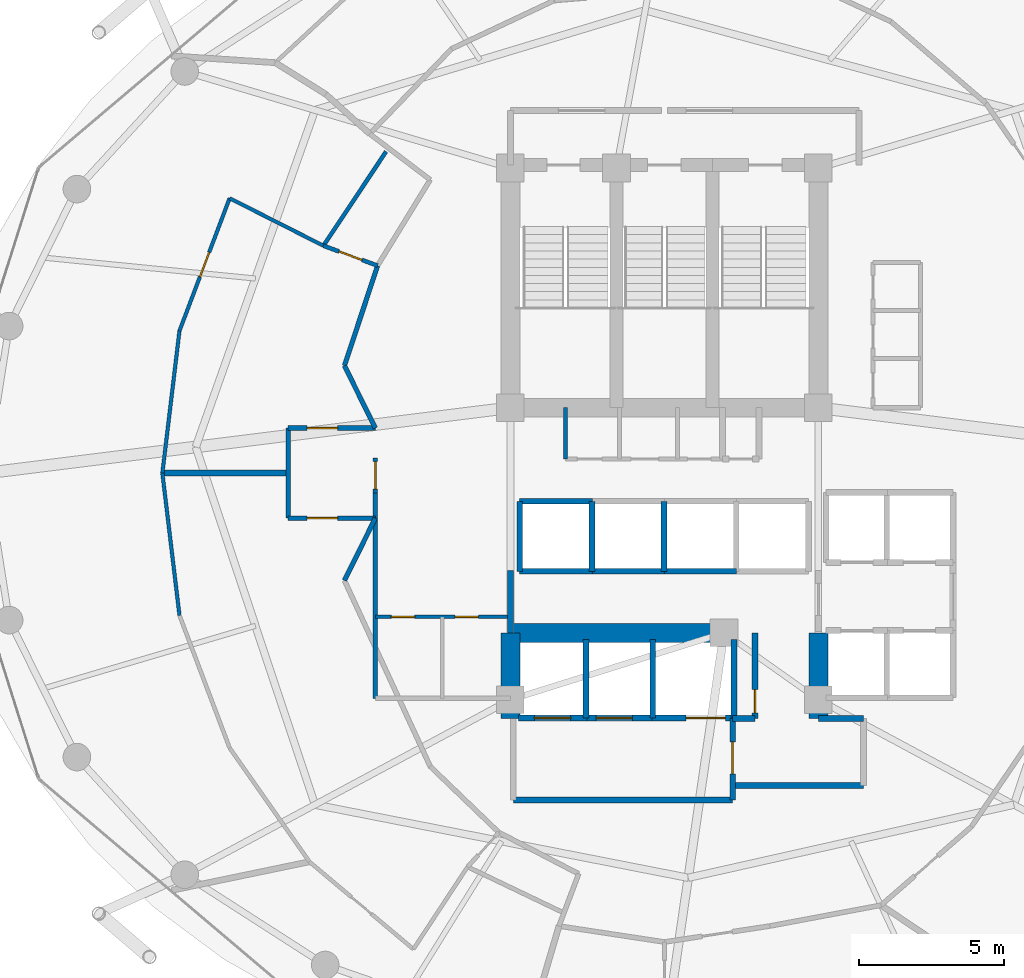
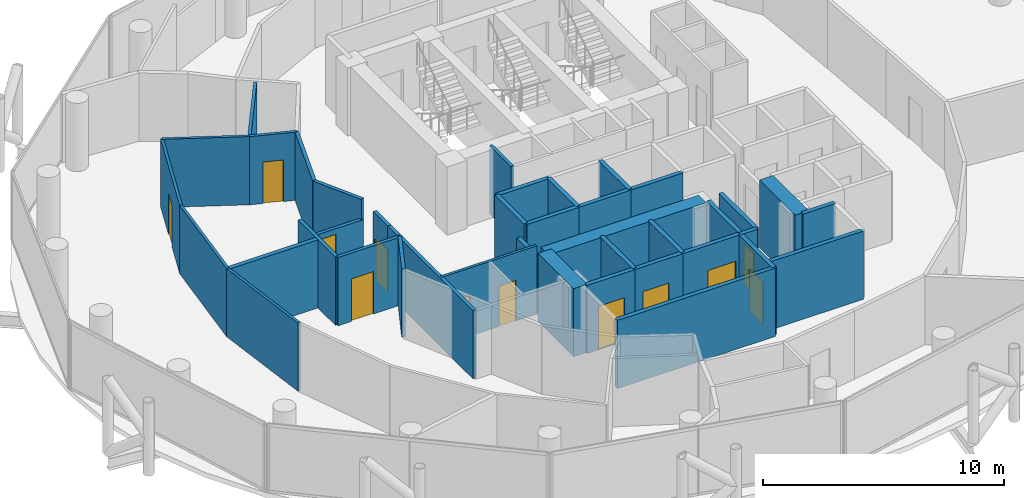
# One storey, part 22 of 26: 40 walls, 12 doors, 12 openings.
"""IFC4 building model written with IfcOpenShell, lengths in metres."""

from ifc_helpers import new_model, si_unit, direction, frame, frame_2d, origin, place, context, subcontext, project, spatial, rectangle, extrude, material, layer, layer_set, type_object, element, fill, save


model = new_model("IFC4")

# Units and contexts
model_context = context("Model", 3, precision=1e-05, world=origin(), true_north=direction((0.0, 1.0)))
body_context = subcontext(model_context, "Body", "Model", "MODEL_VIEW")
ifc_project = project(units=[si_unit("LENGTHUNIT", "METRE"), si_unit("AREAUNIT", "SQUARE_METRE"), si_unit("VOLUMEUNIT", "CUBIC_METRE"), si_unit("PLANEANGLEUNIT", "RADIAN"), si_unit("MASSUNIT", "GRAM", prefix="KILO")], contexts=[model_context])

# Site, building, storey
site_placement = place(None, origin())
site = spatial("IfcSite", under=ifc_project, at=site_placement, CompositionType="ELEMENT")
building_placement = place(site_placement, origin())
building = spatial("IfcBuilding", under=site, at=building_placement, Name="Nuhasar Tower", CompositionType="ELEMENT")
storey_placement = place(building_placement, frame((0.0, 0.0, 162.64990234375)))
storey = spatial("IfcBuildingStorey", under=building, at=storey_placement, Name="L39", CompositionType="ELEMENT", Elevation=162.64990234375)

# Walls
ifc_material_1 = material(Name="Concrete C65/80", Category="concrete")
ifc_layer_1 = layer(ifc_material_1, 0.64990234375)
ifc_layer_set_1 = layer_set([ifc_layer_1], Name="Concrete C65/80")
wall_type_1 = type_object("IfcWallType", Name="WL-CORE-650", PredefinedType="SHEAR", material=ifc_layer_set_1)
for number, where, z_axis, x_axis, name in (
    (1, (33.699951171875, 18.35009765625, 0.0), (0.0, 0.0, 1.0), (0.0, 1.0, 0.0), "L39 Core Shear Wall CW-SW CW-650"),
    (2, (44.300048828125, 18.35009765625, 0.0), (0.0, 0.0, 1.0), (0.0, 1.0, 0.0), "L39 Core Shear Wall CW-SE CW-650"),
):
    element("IfcWall", number, at=place(storey_placement, frame(where, z_axis=z_axis, x_axis=x_axis)), inside=storey, type_object=wall_type_1, Name=name, PredefinedType="SHEAR", context=body_context, shape_type="SweptSolid", body=[
        extrude(rectangle(XDim=2.949951171875, YDim=0.64990234375, at=frame_2d((1.47509765625, 0.0))), origin(), (0.0, 0.0, 1.0), 3.4501953125),
    ])
wall_1_placement = place(storey_placement, frame((33.699951171875, 21.300048828125, 0.0), z_axis=(0.0, 0.0, 1.0), x_axis=(1.0, 0.0, 0.0)))
element("IfcWall", 3, at=wall_1_placement, inside=storey, type_object=wall_type_1, Name="L39 Core Shear Wall CW-S1 CW-650", PredefinedType="SHEAR", context=body_context, shape_type="SweptSolid", body=[
    extrude(rectangle(XDim=7.550048828125, YDim=0.64990234375, at=frame_2d((3.77490234375, 0.0))), origin(), (0.0, 0.0, 1.0), 3.4501953125),
])
ifc_material_2 = material(Name="Gypsum Board", Category="gypsum")
ifc_layer_2 = layer(ifc_material_2, 0.159912109375)
ifc_layer_set_2 = layer_set([ifc_layer_2], Name="Gypsum Board")
wall_type_2 = type_object("IfcWallType", Name="WL-CORR-160", PredefinedType="PARTITIONING", material=ifc_layer_set_2)
wall_2_placement = place(storey_placement, frame((29.050048828125, 19.050048828125, 0.0), z_axis=(0.0, 0.0, 1.0), x_axis=(0.0, 1.0, 0.0)))
element("IfcWall", 4, at=wall_2_placement, inside=storey, type_object=wall_type_2, Name="L39 Interior Partition RECL-B1-W", PredefinedType="PARTITIONING", context=body_context, shape_type="SweptSolid", body=[
    extrude(rectangle(XDim=7.070068359375, YDim=0.159912109375, at=frame_2d((3.53515625, 0.0))), origin(), (0.0, 0.0, 1.0), 3.4501953125),
])

# Wall, opening, door
wall_3_placement = place(storey_placement, frame((29.050048828125, 26.1201171875, 0.0), z_axis=(0.0, 0.0, 1.0), x_axis=(0.0, 1.0, 0.0)))
wall_3 = element("IfcWall", 5, at=wall_3_placement, inside=storey, type_object=wall_type_2, Name="L39 Interior Partition WVEST-E", PredefinedType="PARTITIONING", context=body_context, shape_type="SweptSolid", body=[
    extrude(rectangle(XDim=1.199951171875, YDim=0.159912109375, at=frame_2d((0.60009765625, 0.0))), origin(), (0.0, 0.0, 1.0), 3.4501953125),
])
opening_1_placement = place(wall_3_placement, frame((0.125, 0.0, 0.0)))
opening_1 = element("IfcOpeningElement", 6, at=opening_1_placement, cuts=wall_3, Name="Opening DO-01", PredefinedType="OPENING", context=body_context, shape_type="SweptSolid", body=[
    extrude(rectangle(XDim=0.949951171875, YDim=2.14990234375, at=frame_2d((0.47509765625, 1.074951171875))), frame((0.0, 0.08984375, 0.0), z_axis=(0.0, -1.0, 0.0), x_axis=(1.0, 0.0, 0.0)), (0.0, 0.0, 1.0), 0.179931640625),
])
ifc_material_3 = material(Name="Timber Oak", Category="wood")
door_type_1 = type_object("IfcDoorType", Name="DR-OFFICE-FD30-950", OperationType="NOTDEFINED", PredefinedType="DOOR", material=ifc_material_3)
door_1_placement = place(opening_1_placement, origin())
door_1 = element("IfcDoor", 7, at=door_1_placement, inside=storey, type_object=door_type_1, Name="L39 West Arrival Foyer Core Door", OperationType="SINGLE_SWING_RIGHT", OverallHeight=2.14990234375, OverallWidth=0.949951171875, PredefinedType="DOOR", context=body_context, shape_type="SweptSolid", body=[
    extrude(rectangle(XDim=0.949951171875, YDim=2.14990234375, at=frame_2d((0.47509765625, 1.074951171875))), frame((0.0, 0.02490234375, 0.0), z_axis=(0.0, -1.0, 0.0), x_axis=(1.0, 0.0, 0.0)), (0.0, 0.0, 1.0), 0.050048828125),
])
fill(opening_1, door_1)

# Wall
wall_4_placement = place(storey_placement, frame((29.126953125, 33.93994140625, 0.0), z_axis=(0.0, 0.0, 1.0), x_axis=(-0.313985571683, -0.949427754374, 0.0)))
element("IfcWall", 8, at=wall_4_placement, inside=storey, type_object=wall_type_2, Name="L39 Interior Partition HWEST-CORE-N-20", PredefinedType="PARTITIONING", context=body_context, shape_type="SweptSolid", body=[
    extrude(rectangle(XDim=3.627197265625, YDim=0.159912109375, at=frame_2d((1.8134765625, 0.0))), origin(), (0.0, 0.0, 1.0), 3.4501953125),
])

# Wall, opening, door
wall_5_placement = place(storey_placement, frame((26.050048828125, 28.35009765625, 0.0), z_axis=(0.0, 0.0, 1.0), x_axis=(1.0, 0.0, 0.0)))
wall_5 = element("IfcWall", 9, at=wall_5_placement, inside=storey, type_object=wall_type_2, Name="L39 Interior Partition WVEST-N", PredefinedType="PARTITIONING", context=body_context, shape_type="SweptSolid", body=[
    extrude(rectangle(XDim=3.0, YDim=0.159912109375, at=frame_2d((1.5, 0.0))), origin(), (0.0, 0.0, 1.0), 2.440185546875),
])
opening_2_placement = place(wall_5_placement, frame((0.64990234375, 0.0, 0.0)))
opening_2 = element("IfcOpeningElement", 10, at=opening_2_placement, cuts=wall_5, Name="Opening DU-01", PredefinedType="OPENING", context=body_context, shape_type="SweptSolid", body=[
    extrude(rectangle(XDim=1.050048828125, YDim=2.14990234375, at=frame_2d((0.52490234375, 1.074951171875))), frame((0.0, 0.08984375, 0.0), z_axis=(0.0, -1.0, 0.0), x_axis=(1.0, 0.0, 0.0)), (0.0, 0.0, 1.0), 0.179931640625),
])
door_type_2 = type_object("IfcDoorType", Name="DR-SUITE-FD60-1050", OperationType="NOTDEFINED", PredefinedType="DOOR", material=ifc_material_3)
door_2_placement = place(opening_2_placement, origin())
door_2 = element("IfcDoor", 11, at=door_2_placement, inside=storey, type_object=door_type_2, Name="L39 North-West Sunset Suite Entrance", OperationType="SINGLE_SWING_LEFT", OverallHeight=2.14990234375, OverallWidth=1.050048828125, PredefinedType="DOOR", context=body_context, shape_type="SweptSolid", body=[
    extrude(rectangle(XDim=1.050048828125, YDim=2.14990234375, at=frame_2d((0.52490234375, 1.074951171875))), frame((0.0, 0.02490234375, 0.0), z_axis=(0.0, -1.0, 0.0), x_axis=(1.0, 0.0, 0.0)), (0.0, 0.0, 1.0), 0.050048828125),
])
fill(opening_2, door_2)

wall_6_placement = place(storey_placement, frame((26.050048828125, 25.25, 0.0), z_axis=(0.0, 0.0, 1.0), x_axis=(1.0, 0.0, 0.0)))
wall_6 = element("IfcWall", 12, at=wall_6_placement, inside=storey, type_object=wall_type_2, Name="L39 Interior Partition WVEST-S", PredefinedType="PARTITIONING", context=body_context, shape_type="SweptSolid", body=[
    extrude(rectangle(XDim=3.0, YDim=0.159912109375, at=frame_2d((1.5, 0.0))), origin(), (0.0, 0.0, 1.0), 3.4501953125),
])
opening_3_placement = place(wall_6_placement, frame((0.64990234375, 0.0, 0.0)))
opening_3 = element("IfcOpeningElement", 13, at=opening_3_placement, cuts=wall_6, Name="Opening DU-01", PredefinedType="OPENING", context=body_context, shape_type="SweptSolid", body=[
    extrude(rectangle(XDim=1.050048828125, YDim=2.14990234375, at=frame_2d((0.52490234375, 1.074951171875))), frame((0.0, 0.08984375, 0.0), z_axis=(0.0, -1.0, 0.0), x_axis=(1.0, 0.0, 0.0)), (0.0, 0.0, 1.0), 0.179931640625),
])
door_3_placement = place(opening_3_placement, origin())
door_3 = element("IfcDoor", 14, at=door_3_placement, inside=storey, type_object=door_type_2, Name="L39 South-West Presidential Suite Entrance", OperationType="SINGLE_SWING_LEFT", OverallHeight=2.14990234375, OverallWidth=1.050048828125, PredefinedType="DOOR", context=body_context, shape_type="SweptSolid", body=[
    extrude(rectangle(XDim=1.050048828125, YDim=2.14990234375, at=frame_2d((0.52490234375, 1.074951171875))), frame((0.0, 0.02490234375, 0.0), z_axis=(0.0, -1.0, 0.0), x_axis=(1.0, 0.0, 0.0)), (0.0, 0.0, 1.0), 0.050048828125),
])
fill(opening_3, door_3)

# Walls
wall_7_placement = place(storey_placement, frame((26.050048828125, 25.25, 0.0), z_axis=(0.0, 0.0, 1.0), x_axis=(0.0, 1.0, 0.0)))
element("IfcWall", 15, at=wall_7_placement, inside=storey, type_object=wall_type_2, Name="L39 Interior Partition WVEST-W", PredefinedType="PARTITIONING", context=body_context, shape_type="SweptSolid", body=[
    extrude(rectangle(XDim=3.10009765625, YDim=0.159912109375, at=frame_2d((1.550048828125, 0.0))), origin(), (0.0, 0.0, 1.0), 3.4501953125),
])
for number, where, z_axis, x_axis, name in (
    (16, (27.988037109375, 30.49609375, 0.0), (0.0, 0.0, 1.0), (0.443539160525, -0.896254993337, 0.0), "L39 Interior Partition WVEST-CN"),
    (17, (27.988037109375, 23.10400390625, 0.0), (0.0, 0.0, 1.0), (0.443539160525, 0.896254993337, 0.0), "L39 Interior Partition WVEST-CS"),
):
    element("IfcWall", number, at=place(storey_placement, frame(where, z_axis=z_axis, x_axis=x_axis)), inside=storey, type_object=wall_type_2, Name=name, PredefinedType="PARTITIONING", context=body_context, shape_type="SweptSolid", body=[
        extrude(rectangle(XDim=2.394287109375, YDim=0.159912109375, at=frame_2d((1.197265625, 0.0))), origin(), (0.0, 0.0, 1.0), 3.4501953125),
    ])
ifc_material_4 = material(Name="Concrete C45/55", Category="concrete")
ifc_layer_3 = layer(ifc_material_4, 0.199951171875)
ifc_layer_set_3 = layer_set([ifc_layer_3], Name="Concrete C45/55")
wall_type_3 = type_object("IfcWallType", Name="WL-LOBBY-200", PredefinedType="SOLIDWALL", material=ifc_layer_set_3)
wall_8_placement = place(storey_placement, frame((33.699951171875, 21.300048828125, 0.0), z_axis=(0.0, 0.0, 1.0), x_axis=(0.0, 1.0, 0.0)))
element("IfcWall", 18, at=wall_8_placement, inside=storey, type_object=wall_type_3, Name="L39 Interior Partition LLBH-W", PredefinedType="SOLIDWALL", context=body_context, shape_type="SweptSolid", body=[
    extrude(rectangle(XDim=2.14990234375, YDim=0.199951171875, at=frame_2d((1.074951171875, 0.0))), origin(), (0.0, 0.0, 1.0), 2.835205078125),
])
wall_9_placement = place(storey_placement, frame((33.800048828125, 15.550048828125, 0.0), z_axis=(0.0, 0.0, 1.0), x_axis=(1.0, 0.0, 0.0)))
element("IfcWall", 19, at=wall_9_placement, inside=storey, type_object=wall_type_3, Name="L39 Interior Partition FFL-S", PredefinedType="SOLIDWALL", context=body_context, shape_type="SweptSolid", body=[
    extrude(rectangle(XDim=7.550048828125, YDim=0.199951171875, at=frame_2d((3.77490234375, 0.0))), origin(), (0.0, 0.0, 1.0), 3.4501953125),
])

# Wall, opening, door
wall_10_placement = place(storey_placement, frame((41.35009765625, 15.550048828125, 0.0), z_axis=(0.0, 0.0, 1.0), x_axis=(0.0, 1.0, 0.0)))
wall_10 = element("IfcWall", 20, at=wall_10_placement, inside=storey, type_object=wall_type_3, Name="L39 Interior Partition FFL-E", PredefinedType="SOLIDWALL", context=body_context, shape_type="SweptSolid", body=[
    extrude(rectangle(XDim=2.800048828125, YDim=0.199951171875, at=frame_2d((1.39990234375, 0.0))), origin(), (0.0, 0.0, 1.0), 3.4501953125),
])
opening_4_placement = place(wall_10_placement, frame((0.89990234375, 0.0, 0.0)))
opening_4 = element("IfcOpeningElement", 21, at=opening_4_placement, cuts=wall_10, Name="Opening DS-02", PredefinedType="OPENING", context=body_context, shape_type="SweptSolid", body=[
    extrude(rectangle(XDim=1.10009765625, YDim=2.14990234375, at=frame_2d((0.550048828125, 1.074951171875))), frame((0.0, 0.10986328125, 0.0), z_axis=(0.0, -1.0, 0.0), x_axis=(1.0, 0.0, 0.0)), (0.0, 0.0, 1.0), 0.219970703125),
])
ifc_material_5 = material(Name="Steel S355", Category="steel")
door_type_3 = type_object("IfcDoorType", Name="DR-FFL-FD120-1100", OperationType="NOTDEFINED", PredefinedType="DOOR", material=ifc_material_5)
door_4_placement = place(opening_4_placement, origin())
door_4 = element("IfcDoor", 22, at=door_4_placement, inside=storey, type_object=door_type_3, Name="L39 Firefighting Lobby Door", OperationType="SINGLE_SWING_RIGHT", OverallHeight=2.14990234375, OverallWidth=1.10009765625, PredefinedType="DOOR", context=body_context, shape_type="SweptSolid", body=[
    extrude(rectangle(XDim=1.10009765625, YDim=2.14990234375, at=frame_2d((0.550048828125, 1.074951171875))), frame((0.0, 0.02490234375, 0.0), z_axis=(0.0, -1.0, 0.0), x_axis=(1.0, 0.0, 0.0)), (0.0, 0.0, 1.0), 0.050048828125),
])
fill(opening_4, door_4)

# Walls
wall_11_placement = place(storey_placement, frame((41.35009765625, 16.050048828125, 0.0), z_axis=(0.0, 0.0, 1.0), x_axis=(1.0, 0.0, 0.0)))
element("IfcWall", 23, at=wall_11_placement, inside=storey, type_object=wall_type_3, Name="L39 Interior Partition SVLV-S", PredefinedType="SOLIDWALL", context=body_context, shape_type="SweptSolid", body=[
    extrude(rectangle(XDim=4.5, YDim=0.199951171875, at=frame_2d((2.25, 0.0))), origin(), (0.0, 0.0, 1.0), 3.4501953125),
])
wall_12_placement = place(storey_placement, frame((44.300048828125, 18.35009765625, 0.0), z_axis=(0.0, 0.0, 1.0), x_axis=(1.0, 0.0, 0.0)))
element("IfcWall", 24, at=wall_12_placement, inside=storey, type_object=wall_type_3, Name="L39 Interior Partition SVLV-N", PredefinedType="SOLIDWALL", context=body_context, shape_type="SweptSolid", body=[
    extrude(rectangle(XDim=1.550048828125, YDim=0.199951171875, at=frame_2d((0.77490234375, 0.0))), origin(), (0.0, 0.0, 1.0), 3.4501953125),
])

# Wall, openings, doors
ifc_layer_4 = layer(ifc_material_2, 0.125)
ifc_layer_set_4 = layer_set([ifc_layer_4], Name="Gypsum Board")
wall_type_4 = type_object("IfcWallType", Name="WL-PART-125", PredefinedType="PARTITIONING", material=ifc_layer_set_4)
wall_13_placement = place(storey_placement, frame((33.60009765625, 21.85009765625, 0.0), z_axis=(0.0, 0.0, 1.0), x_axis=(-1.0, 0.0, 0.0)))
wall_13 = element("IfcWall", 25, at=wall_13_placement, inside=storey, type_object=wall_type_4, Name="L39 Interior Partition HKPK1-N", PredefinedType="PARTITIONING", context=body_context, shape_type="SweptSolid", body=[
    extrude(rectangle(XDim=4.550048828125, YDim=0.125, at=frame_2d((2.27490234375, 0.0))), origin(), (0.0, 0.0, 1.0), 3.4501953125),
])
opening_5_placement = place(wall_13_placement, frame((3.199951171875, 0.0, 0.0)))
opening_5 = element("IfcOpeningElement", 26, at=opening_5_placement, cuts=wall_13, Name="Opening DM-01", PredefinedType="OPENING", context=body_context, shape_type="SweptSolid", body=[
    extrude(rectangle(XDim=0.800048828125, YDim=2.050048828125, at=frame_2d((0.39990234375, 1.02490234375))), frame((0.0, 0.072509765625, 0.0), z_axis=(0.0, -1.0, 0.0), x_axis=(1.0, 0.0, 0.0)), (0.0, 0.0, 1.0), 0.14501953125),
])
opening_6_placement = place(wall_13_placement, frame((1.0, 0.0, 0.0)))
opening_6 = element("IfcOpeningElement", 27, at=opening_6_placement, cuts=wall_13, Name="Opening DM-01", PredefinedType="OPENING", context=body_context, shape_type="SweptSolid", body=[
    extrude(rectangle(XDim=0.800048828125, YDim=2.050048828125, at=frame_2d((0.39990234375, 1.02490234375))), frame((0.0, 0.072509765625, 0.0), z_axis=(0.0, -1.0, 0.0), x_axis=(1.0, 0.0, 0.0)), (0.0, 0.0, 1.0), 0.14501953125),
])
door_type_4 = type_object("IfcDoorType", Name="DR-RISER-FD60-800", OperationType="NOTDEFINED", PredefinedType="DOOR", material=ifc_material_5)
door_5_placement = place(opening_5_placement, origin())
door_5 = element("IfcDoor", 28, at=door_5_placement, inside=storey, type_object=door_type_4, Name="L39 Housekeeping Closet Door", OperationType="SINGLE_SWING_RIGHT", OverallHeight=2.050048828125, OverallWidth=0.800048828125, PredefinedType="DOOR", context=body_context, shape_type="SweptSolid", body=[
    extrude(rectangle(XDim=0.800048828125, YDim=2.050048828125, at=frame_2d((0.39990234375, 1.02490234375))), frame((0.0, 0.02490234375, 0.0), z_axis=(0.0, -1.0, 0.0), x_axis=(1.0, 0.0, 0.0)), (0.0, 0.0, 1.0), 0.050048828125),
])
fill(opening_5, door_5)
door_6_placement = place(opening_6_placement, origin())
door_6 = element("IfcDoor", 29, at=door_6_placement, inside=storey, type_object=door_type_4, Name="L39 Linen Store Door", OperationType="SINGLE_SWING_LEFT", OverallHeight=2.050048828125, OverallWidth=0.800048828125, PredefinedType="DOOR", context=body_context, shape_type="SweptSolid", body=[
    extrude(rectangle(XDim=0.800048828125, YDim=2.050048828125, at=frame_2d((0.39990234375, 1.02490234375))), frame((0.0, 0.02490234375, 0.0), z_axis=(0.0, -1.0, 0.0), x_axis=(1.0, 0.0, 0.0)), (0.0, 0.0, 1.0), 0.050048828125),
])
fill(opening_6, door_6)

# Wall
wall_14_placement = place(storey_placement, frame((27.264892578125, 34.625, 0.0), z_axis=(0.0, 0.0, 1.0), x_axis=(-0.892204285049, 0.451632055705, 0.0)))
element("IfcWall", 30, at=wall_14_placement, inside=storey, type_object=wall_type_4, Name="L39 Interior Partition HWS1-S", PredefinedType="PARTITIONING", context=body_context, shape_type="SweptSolid", body=[
    extrude(rectangle(XDim=3.6201171875, YDim=0.125, at=frame_2d((1.81005859375, 0.0))), origin(), (0.0, 0.0, 1.0), 3.4501953125),
])

# Wall, opening, door
wall_15_placement = place(storey_placement, frame((24.034912109375, 36.260009765625, 0.0), z_axis=(0.0, 0.0, 1.0), x_axis=(-0.353765495648, -0.935334151033, 0.0)))
wall_15 = element("IfcWall", 31, at=wall_15_placement, inside=storey, type_object=wall_type_4, Name="L39 Interior Partition HWS1-ARC-20", PredefinedType="PARTITIONING", context=body_context, shape_type="SweptSolid", body=[
    extrude(rectangle(XDim=4.87841796875, YDim=0.125, at=frame_2d((2.439208984375, 0.0))), origin(), (0.0, 0.0, 1.0), 3.4501953125),
])
opening_7_placement = place(wall_15_placement, frame((1.989013671875, 0.0, 0.0)))
opening_7 = element("IfcOpeningElement", 32, at=opening_7_placement, cuts=wall_15, Name="Opening DR-01", PredefinedType="OPENING", context=body_context, shape_type="SweptSolid", body=[
    extrude(rectangle(XDim=0.89990234375, YDim=2.10009765625, at=frame_2d((0.449951171875, 1.050048828125))), frame((0.0, 0.072509765625, 0.0), z_axis=(0.0, -1.0, 0.0), x_axis=(1.0, 0.0, 0.0)), (0.0, 0.0, 1.0), 0.14501953125),
])
door_type_5 = type_object("IfcDoorType", Name="DR-ROOM-900", OperationType="NOTDEFINED", PredefinedType="DOOR", material=ifc_material_3)
door_7_placement = place(opening_7_placement, origin())
door_7 = element("IfcDoor", 33, at=door_7_placement, inside=storey, type_object=door_type_5, Name="L39 North-West Sunset Suite Bedroom Door", OperationType="SINGLE_SWING_LEFT", OverallHeight=2.10009765625, OverallWidth=0.89990234375, PredefinedType="DOOR", context=body_context, shape_type="SweptSolid", body=[
    extrude(rectangle(XDim=0.89990234375, YDim=2.10009765625, at=frame_2d((0.449951171875, 1.050048828125))), frame((0.0, 0.02490234375, 0.0), z_axis=(0.0, -1.0, 0.0), x_axis=(1.0, 0.0, 0.0)), (0.0, 0.0, 1.0), 0.050048828125),
])
fill(opening_7, door_7)

# Walls
for number, where, z_axis, x_axis, name in (
    (34, (22.30908203125, 31.697021484375, 0.0), (0.0, 0.0, 1.0), (-0.119439942395, -0.9928414275, 0.0), "L39 Interior Partition HWS1-ARC-22"),
    (35, (21.719970703125, 26.800048828125, 0.0), (0.0, 0.0, 1.0), (0.119439942395, -0.9928414275, 0.0), "L39 Interior Partition HWS2-ARC-24"),
):
    element("IfcWall", number, at=place(storey_placement, frame(where, z_axis=z_axis, x_axis=x_axis)), inside=storey, type_object=wall_type_4, Name=name, PredefinedType="PARTITIONING", context=body_context, shape_type="SweptSolid", body=[
        extrude(rectangle(XDim=4.932373046875, YDim=0.125, at=frame_2d((2.46630859375, 0.0))), origin(), (0.0, 0.0, 1.0), 3.4501953125),
    ])
ifc_layer_5 = layer(ifc_material_4, 0.199951171875)
ifc_layer_set_5 = layer_set([ifc_layer_5], Name="Concrete C45/55")
wall_type_5 = type_object("IfcWallType", Name="WL-SHAFT-200", PredefinedType="SOLIDWALL", material=ifc_layer_set_5)
for number, where, z_axis, x_axis, name in (
    (36, (34.02001953125, 23.419921875, 0.0), (0.0, 0.0, 1.0), (1.0, 0.0, 0.0), "L39 Interior Partition SHF-PL-H01-S"),
    (37, (34.02001953125, 25.830078125, 0.0), (0.0, 0.0, 1.0), (1.0, 0.0, 0.0), "L39 Interior Partition SHF-PL-H01-N"),
):
    element("IfcWall", number, at=place(storey_placement, frame(where, z_axis=z_axis, x_axis=x_axis)), inside=storey, type_object=wall_type_5, Name=name, PredefinedType="SOLIDWALL", context=body_context, shape_type="SweptSolid", body=[
        extrude(rectangle(XDim=2.5, YDim=0.199951171875, at=frame_2d((1.25, 0.0))), origin(), (0.0, 0.0, 1.0), 3.4501953125),
    ])
for number, where, z_axis, x_axis, name in (
    (38, (34.02001953125, 23.419921875, 0.0), (0.0, 0.0, 1.0), (0.0, 1.0, 0.0), "L39 Interior Partition SHF-PL-H01-W"),
    (39, (36.510009765625, 23.419921875, 0.0), (0.0, 0.0, 1.0), (0.0, 1.0, 0.0), "L39 Interior Partition SHF-PL-H01-E"),
):
    element("IfcWall", number, at=place(storey_placement, frame(where, z_axis=z_axis, x_axis=x_axis)), inside=storey, type_object=wall_type_5, Name=name, PredefinedType="SOLIDWALL", context=body_context, shape_type="SweptSolid", body=[
        extrude(rectangle(XDim=2.41015625, YDim=0.199951171875, at=frame_2d((1.205078125, 0.0))), origin(), (0.0, 0.0, 1.0), 3.4501953125),
    ])
wall_16_placement = place(storey_placement, frame((36.5, 23.419921875, 0.0), z_axis=(0.0, 0.0, 1.0), x_axis=(1.0, 0.0, 0.0)))
element("IfcWall", 40, at=wall_16_placement, inside=storey, type_object=wall_type_5, Name="L39 Interior Partition SHF-PL-H02-S", PredefinedType="SOLIDWALL", context=body_context, shape_type="SweptSolid", body=[
    extrude(rectangle(XDim=2.5, YDim=0.199951171875, at=frame_2d((1.25, 0.0))), origin(), (0.0, 0.0, 1.0), 3.4501953125),
])
wall_17_placement = place(storey_placement, frame((38.989990234375, 23.419921875, 0.0), z_axis=(0.0, 0.0, 1.0), x_axis=(0.0, 1.0, 0.0)))
element("IfcWall", 41, at=wall_17_placement, inside=storey, type_object=wall_type_5, Name="L39 Interior Partition SHF-PL-H02-E", PredefinedType="SOLIDWALL", context=body_context, shape_type="SweptSolid", body=[
    extrude(rectangle(XDim=2.41015625, YDim=0.199951171875, at=frame_2d((1.205078125, 0.0))), origin(), (0.0, 0.0, 1.0), 3.4501953125),
])
wall_18_placement = place(storey_placement, frame((38.97998046875, 23.419921875, 0.0), z_axis=(0.0, 0.0, 1.0), x_axis=(1.0, 0.0, 0.0)))
element("IfcWall", 42, at=wall_18_placement, inside=storey, type_object=wall_type_5, Name="L39 Interior Partition SHF-PL-H03-S", PredefinedType="SOLIDWALL", context=body_context, shape_type="SweptSolid", body=[
    extrude(rectangle(XDim=2.5, YDim=0.199951171875, at=frame_2d((1.25, 0.0))), origin(), (0.0, 0.0, 1.0), 3.4501953125),
])

# Wall, opening, door
wall_19_placement = place(storey_placement, frame((33.969970703125, 18.3701171875, 0.0), z_axis=(0.0, 0.0, 1.0), x_axis=(1.0, 0.0, 0.0)))
wall_19 = element("IfcWall", 43, at=wall_19_placement, inside=storey, type_object=wall_type_5, Name="L39 Interior Partition SHF-FFL-01-S", PredefinedType="SOLIDWALL", context=body_context, shape_type="SweptSolid", body=[
    extrude(rectangle(XDim=2.360107421875, YDim=0.199951171875, at=frame_2d((1.18017578125, 0.0))), origin(), (0.0, 0.0, 1.0), 3.4501953125),
])
opening_8_placement = place(wall_19_placement, frame((0.554931640625, 0.0, 0.0)))
opening_8 = element("IfcOpeningElement", 44, at=opening_8_placement, cuts=wall_19, Name="Opening LD-F01", PredefinedType="OPENING", context=body_context, shape_type="SweptSolid", body=[
    extrude(rectangle(XDim=1.25, YDim=2.199951171875, at=frame_2d((0.625, 1.10009765625))), frame((0.0, 0.10986328125, 0.0), z_axis=(0.0, -1.0, 0.0), x_axis=(1.0, 0.0, 0.0)), (0.0, 0.0, 1.0), 0.219970703125),
])
ifc_material_6 = material(Name="Stainless Steel 316L", Category="steel")
door_type_6 = type_object("IfcDoorType", Name="LD-FFL-1250", OperationType="DOUBLE_DOOR_SLIDING", PredefinedType="DOOR", material=ifc_material_6)
door_8_placement = place(opening_8_placement, origin())
door_8 = element("IfcDoor", 45, at=door_8_placement, inside=storey, type_object=door_type_6, Name="L39 Lift Landing Door FFL-01", OperationType="DOUBLE_DOOR_SLIDING", OverallHeight=2.199951171875, OverallWidth=1.25, PredefinedType="DOOR", context=body_context, shape_type="SweptSolid", body=[
    extrude(rectangle(XDim=1.25, YDim=2.199951171875, at=frame_2d((0.625, 1.10009765625))), frame((0.0, 0.02490234375, 0.0), z_axis=(0.0, -1.0, 0.0), x_axis=(1.0, 0.0, 0.0)), (0.0, 0.0, 1.0), 0.050048828125),
])
fill(opening_8, door_8)

# Wall
wall_20_placement = place(storey_placement, frame((36.300048828125, 18.3701171875, 0.0), z_axis=(0.0, 0.0, 1.0), x_axis=(0.0, 1.0, 0.0)))
element("IfcWall", 46, at=wall_20_placement, inside=storey, type_object=wall_type_5, Name="L39 Interior Partition SHF-FFL-01-E", PredefinedType="SOLIDWALL", context=body_context, shape_type="SweptSolid", body=[
    extrude(rectangle(XDim=2.7099609375, YDim=0.199951171875, at=frame_2d((1.35498046875, 0.0))), origin(), (0.0, 0.0, 1.0), 3.4501953125),
])

# Wall, opening, door
wall_21_placement = place(storey_placement, frame((36.27001953125, 18.3701171875, 0.0), z_axis=(0.0, 0.0, 1.0), x_axis=(1.0, 0.0, 0.0)))
wall_21 = element("IfcWall", 47, at=wall_21_placement, inside=storey, type_object=wall_type_5, Name="L39 Interior Partition SHF-FFL-02-S", PredefinedType="SOLIDWALL", context=body_context, shape_type="SweptSolid", body=[
    extrude(rectangle(XDim=2.35986328125, YDim=0.199951171875, at=frame_2d((1.179931640625, 0.0))), origin(), (0.0, 0.0, 1.0), 3.4501953125),
])
opening_9_placement = place(wall_21_placement, frame((0.3798828125, 0.0, 0.0)))
opening_9 = element("IfcOpeningElement", 48, at=opening_9_placement, cuts=wall_21, Name="Opening LD-F02", PredefinedType="OPENING", context=body_context, shape_type="SweptSolid", body=[
    extrude(rectangle(XDim=1.25, YDim=2.199951171875, at=frame_2d((0.625, 1.10009765625))), frame((0.0, 0.10986328125, 0.0), z_axis=(0.0, -1.0, 0.0), x_axis=(1.0, 0.0, 0.0)), (0.0, 0.0, 1.0), 0.219970703125),
])
door_9_placement = place(opening_9_placement, origin())
door_9 = element("IfcDoor", 49, at=door_9_placement, inside=storey, type_object=door_type_6, Name="L39 Lift Landing Door FFL-02", OperationType="DOUBLE_DOOR_SLIDING", OverallHeight=2.199951171875, OverallWidth=1.25, PredefinedType="DOOR", context=body_context, shape_type="SweptSolid", body=[
    extrude(rectangle(XDim=1.25, YDim=2.199951171875, at=frame_2d((0.625, 1.10009765625))), frame((0.0, 0.02490234375, 0.0), z_axis=(0.0, -1.0, 0.0), x_axis=(1.0, 0.0, 0.0)), (0.0, 0.0, 1.0), 0.050048828125),
])
fill(opening_9, door_9)

# Wall
wall_22_placement = place(storey_placement, frame((38.60009765625, 18.3701171875, 0.0), z_axis=(0.0, 0.0, 1.0), x_axis=(0.0, 1.0, 0.0)))
element("IfcWall", 50, at=wall_22_placement, inside=storey, type_object=wall_type_5, Name="L39 Interior Partition SHF-FFL-02-E", PredefinedType="SOLIDWALL", context=body_context, shape_type="SweptSolid", body=[
    extrude(rectangle(XDim=2.7099609375, YDim=0.199951171875, at=frame_2d((1.35498046875, 0.0))), origin(), (0.0, 0.0, 1.0), 3.4501953125),
])

# Wall, opening, door
wall_23_placement = place(storey_placement, frame((38.570068359375, 18.3701171875, 0.0), z_axis=(0.0, 0.0, 1.0), x_axis=(1.0, 0.0, 0.0)))
wall_23 = element("IfcWall", 51, at=wall_23_placement, inside=storey, type_object=wall_type_5, Name="L39 Interior Partition SHF-SVL-01-S", PredefinedType="SOLIDWALL", context=body_context, shape_type="SweptSolid", body=[
    extrude(rectangle(XDim=2.829833984375, YDim=0.199951171875, at=frame_2d((1.4150390625, 0.0))), origin(), (0.0, 0.0, 1.0), 3.4501953125),
])
opening_10_placement = place(wall_23_placement, frame((1.179931640625, 0.0, 0.0)))
opening_10 = element("IfcOpeningElement", 52, at=opening_10_placement, cuts=wall_23, Name="Opening LD-S01", PredefinedType="OPENING", context=body_context, shape_type="SweptSolid", body=[
    extrude(rectangle(XDim=1.35009765625, YDim=2.179931640625, at=frame_2d((0.675048828125, 1.08984375))), frame((0.0, 0.10986328125, 0.0), z_axis=(0.0, -1.0, 0.0), x_axis=(1.0, 0.0, 0.0)), (0.0, 0.0, 1.0), 0.219970703125),
])
door_type_7 = type_object("IfcDoorType", Name="LD-SVL-1350", OperationType="DOUBLE_DOOR_SLIDING", PredefinedType="DOOR", material=ifc_material_6)
door_10_placement = place(opening_10_placement, origin())
door_10 = element("IfcDoor", 53, at=door_10_placement, inside=storey, type_object=door_type_7, Name="L39 Lift Landing Door SVL-01", OperationType="DOUBLE_DOOR_SLIDING", OverallHeight=2.179931640625, OverallWidth=1.35009765625, PredefinedType="DOOR", context=body_context, shape_type="SweptSolid", body=[
    extrude(rectangle(XDim=1.35009765625, YDim=2.179931640625, at=frame_2d((0.675048828125, 1.08984375))), frame((0.0, 0.02490234375, 0.0), z_axis=(0.0, -1.0, 0.0), x_axis=(1.0, 0.0, 0.0)), (0.0, 0.0, 1.0), 0.050048828125),
])
fill(opening_10, door_10)

# Wall
wall_24_placement = place(storey_placement, frame((41.39990234375, 18.3701171875, 0.0), z_axis=(0.0, 0.0, 1.0), x_axis=(0.0, 1.0, 0.0)))
element("IfcWall", 54, at=wall_24_placement, inside=storey, type_object=wall_type_5, Name="L39 Interior Partition SHF-SVL-01-E", PredefinedType="SOLIDWALL", context=body_context, shape_type="SweptSolid", body=[
    extrude(rectangle(XDim=2.7099609375, YDim=0.199951171875, at=frame_2d((1.35498046875, 0.0))), origin(), (0.0, 0.0, 1.0), 3.4501953125),
])

# Wall, opening, door
wall_25_placement = place(storey_placement, frame((42.1201171875, 18.35009765625, 0.0), z_axis=(0.0, 0.0, 1.0), x_axis=(0.0, 1.0, 0.0)))
wall_25 = element("IfcWall", 55, at=wall_25_placement, inside=storey, type_object=wall_type_5, Name="L39 Interior Partition RSR-E", PredefinedType="SOLIDWALL", context=body_context, shape_type="SweptSolid", body=[
    extrude(rectangle(XDim=2.949951171875, YDim=0.199951171875, at=frame_2d((1.47509765625, 0.0))), origin(), (0.0, 0.0, 1.0), 3.4501953125),
])
opening_11_placement = place(wall_25_placement, frame((0.199951171875, 0.0, 0.0)))
opening_11 = element("IfcOpeningElement", 56, at=opening_11_placement, cuts=wall_25, Name="Opening DM-01", PredefinedType="OPENING", context=body_context, shape_type="SweptSolid", body=[
    extrude(rectangle(XDim=0.800048828125, YDim=2.050048828125, at=frame_2d((0.39990234375, 1.02490234375))), frame((0.0, 0.10986328125, 0.0), z_axis=(0.0, -1.0, 0.0), x_axis=(1.0, 0.0, 0.0)), (0.0, 0.0, 1.0), 0.219970703125),
])
door_11_placement = place(opening_11_placement, origin())
door_11 = element("IfcDoor", 57, at=door_11_placement, inside=storey, type_object=door_type_4, Name="L39 MEP Riser Access Door", OperationType="SINGLE_SWING_LEFT", OverallHeight=2.050048828125, OverallWidth=0.800048828125, PredefinedType="DOOR", context=body_context, shape_type="SweptSolid", body=[
    extrude(rectangle(XDim=0.800048828125, YDim=2.050048828125, at=frame_2d((0.39990234375, 1.02490234375))), frame((0.0, 0.02490234375, 0.0), z_axis=(0.0, -1.0, 0.0), x_axis=(1.0, 0.0, 0.0)), (0.0, 0.0, 1.0), 0.050048828125),
])
fill(opening_11, door_11)

# Walls
wall_26_placement = place(storey_placement, frame((41.35009765625, 18.35009765625, 0.0), z_axis=(0.0, 0.0, 1.0), x_axis=(1.0, 0.0, 0.0)))
element("IfcWall", 58, at=wall_26_placement, inside=storey, type_object=wall_type_5, Name="L39 Interior Partition RSR-S", PredefinedType="SOLIDWALL", context=body_context, shape_type="SweptSolid", body=[
    extrude(rectangle(XDim=0.77001953125, YDim=0.199951171875, at=frame_2d((0.385009765625, 0.0))), origin(), (0.0, 0.0, 1.0), 3.4501953125),
])
ifc_material_7 = material(Name="Concrete C40/50 precast", Category="concrete")
ifc_layer_6 = layer(ifc_material_7, 0.199951171875)
ifc_layer_set_6 = layer_set([ifc_layer_6], Name="Concrete C40/50 precast")
wall_type_6 = type_object("IfcWallType", Name="WL-UNIT-200", PredefinedType="PARTITIONING", material=ifc_layer_set_6)
wall_27_placement = place(storey_placement, frame((26.050048828125, 26.800048828125, 0.0), z_axis=(0.0, 0.0, 1.0), x_axis=(-1.0, 0.0, 0.0)))
element("IfcWall", 59, at=wall_27_placement, inside=storey, type_object=wall_type_6, Name="L39 Interior Partition HWEST-DIV-IN", PredefinedType="PARTITIONING", context=body_context, shape_type="SweptSolid", body=[
    extrude(rectangle(XDim=4.330078125, YDim=0.199951171875, at=frame_2d((2.1650390625, 0.0))), origin(), (0.0, 0.0, 1.0), 3.4501953125),
])
ifc_layer_7 = layer(ifc_material_7, 0.139892578125)
ifc_layer_set_7 = layer_set([ifc_layer_7], Name="Concrete C40/50 precast")
wall_type_7 = type_object("IfcWallType", Name="WL-WET-140", PredefinedType="PARTITIONING", material=ifc_layer_set_7)
wall_28_placement = place(storey_placement, frame((35.60009765625, 27.280029296875, 0.0), z_axis=(0.0, 0.0, 1.0), x_axis=(0.0, 1.0, 0.0)))
element("IfcWall", 60, at=wall_28_placement, inside=storey, type_object=wall_type_7, Name="L39 Interior Partition CSVC-W", PredefinedType="PARTITIONING", context=body_context, shape_type="SweptSolid", body=[
    extrude(rectangle(XDim=1.77001953125, YDim=0.139892578125, at=frame_2d((0.885009765625, 0.0))), origin(), (0.0, 0.0, 1.0), 3.4501953125),
])

# Wall, opening, door
wall_29_placement = place(storey_placement, frame((27.264892578125, 34.625, 0.0), z_axis=(0.0, 0.0, 1.0), x_axis=(0.938500583084, -0.345277649945, 0.0)))
wall_29 = element("IfcWall", 61, at=wall_29_placement, inside=storey, type_object=wall_type_7, Name="L39 Interior Partition HBW1-S", PredefinedType="PARTITIONING", context=body_context, shape_type="SweptSolid", body=[
    extrude(rectangle(XDim=1.984130859375, YDim=0.139892578125, at=frame_2d((0.9921875, 0.0))), origin(), (0.0, 0.0, 1.0), 3.4501953125),
])
opening_12_placement = place(wall_29_placement, frame((0.56689453125, 0.0, 0.0)))
opening_12 = element("IfcOpeningElement", 62, at=opening_12_placement, cuts=wall_29, Name="Opening DB-01", PredefinedType="OPENING", context=body_context, shape_type="SweptSolid", body=[
    extrude(rectangle(XDim=0.85009765625, YDim=2.10009765625, at=frame_2d((0.425048828125, 1.050048828125))), frame((0.0, 0.080078125, 0.0), z_axis=(0.0, -1.0, 0.0), x_axis=(1.0, 0.0, 0.0)), (0.0, 0.0, 1.0), 0.159912109375),
])
door_type_8 = type_object("IfcDoorType", Name="DR-BATH-850", OperationType="NOTDEFINED", PredefinedType="DOOR", material=ifc_material_3)
door_12_placement = place(opening_12_placement, origin())
door_12 = element("IfcDoor", 63, at=door_12_placement, inside=storey, type_object=door_type_8, Name="L39 North-West Sunset Suite En-Suite Door", OperationType="SINGLE_SWING_RIGHT", OverallHeight=2.10009765625, OverallWidth=0.85009765625, PredefinedType="DOOR", context=body_context, shape_type="SweptSolid", body=[
    extrude(rectangle(XDim=0.85009765625, YDim=2.10009765625, at=frame_2d((0.425048828125, 1.050048828125))), frame((0.0, 0.02490234375, 0.0), z_axis=(0.0, -1.0, 0.0), x_axis=(1.0, 0.0, 0.0)), (0.0, 0.0, 1.0), 0.050048828125),
])
fill(opening_12, door_12)

# Wall
wall_30_placement = place(storey_placement, frame((29.4189453125, 37.865966796875, 0.0), z_axis=(0.0, 0.0, 1.0), x_axis=(-0.553526949376, -0.832831265212, 0.0)))
element("IfcWall", 64, at=wall_30_placement, inside=storey, type_object=wall_type_7, Name="L39 Interior Partition HBW1-E", PredefinedType="PARTITIONING", context=body_context, shape_type="SweptSolid", body=[
    extrude(rectangle(XDim=3.8916015625, YDim=0.139892578125, at=frame_2d((1.94580078125, 0.0))), origin(), (0.0, 0.0, 1.0), 3.4501953125),
])

save(model, "model.ifc")
